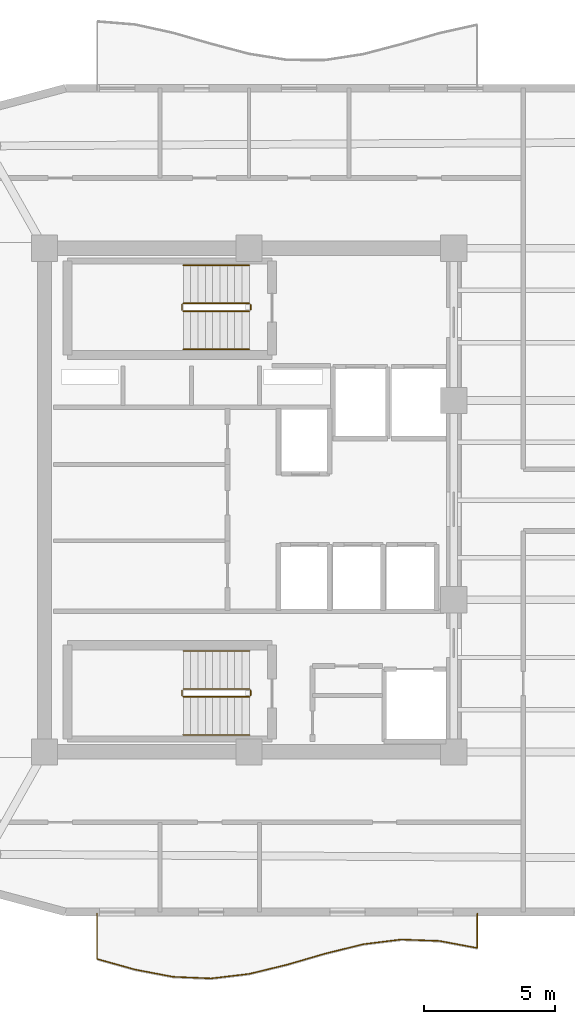
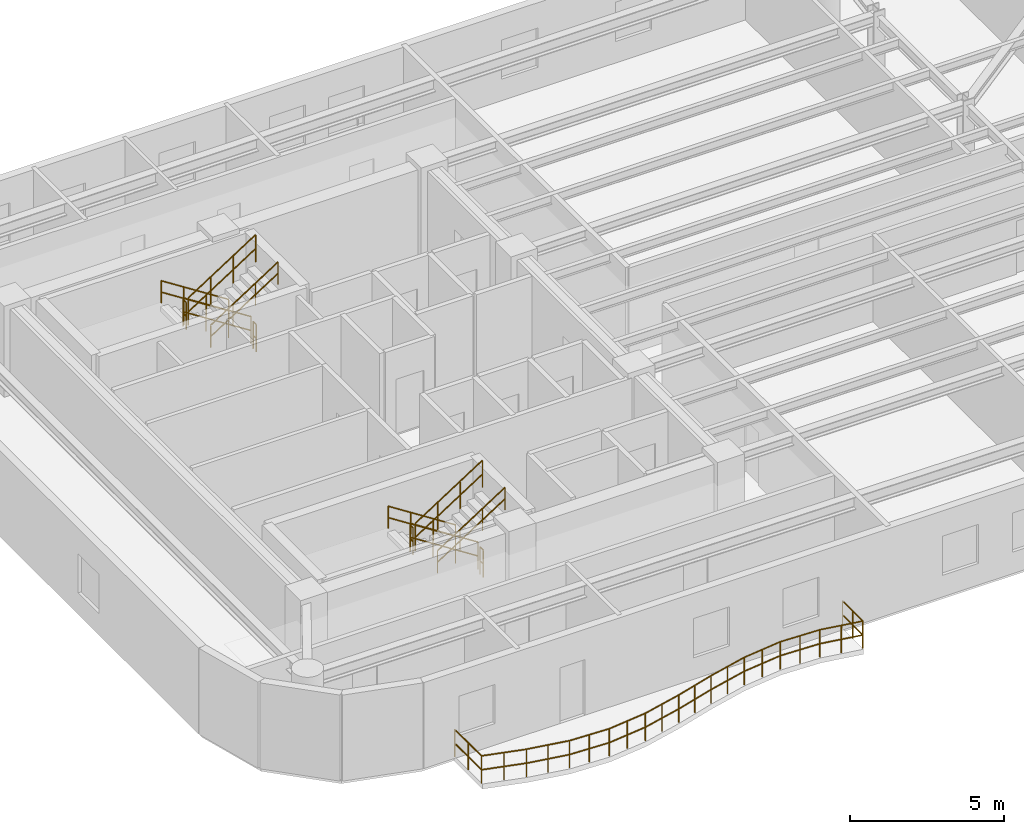
# One storey, part 14 of 15: 13 railings.
"""IFC4 building model written with IfcOpenShell, lengths in metres."""

import ifcopenshell
import ifcopenshell.guid

model = None  # the IFC model being written
_history = None  # IfcOwnerHistory: only IFC2X3 demands one
_inside = {}  # id of a spatial element -> (the spatial element, [elements in it])
_under = {}  # id of a project, library or spatial element -> (it, [spatial elements below it])
_declared = {}  # id of a project -> (the project, [libraries it declares])
_typed = {}  # id of a type object -> (the type object, [elements of that type])
_made_of = {}  # id of a material, layer set ... -> (it, [elements and type objects made of it])


def new_model(schema):
    """Start an empty IFC model of exactly this schema.

    Asked for "IFC4X3", IfcOpenShell would pick the latest addendum, in which some entities
    have other attributes; the version numbers below select the first issue.
    IFC2X3 requires an IfcOwnerHistory on every rooted entity: one is made here for all.
    """
    global model, _history
    if schema == "IFC4X3":
        model = ifcopenshell.file(schema_version=(4, 3, 0, 0))
    else:
        model = ifcopenshell.file(schema=schema)
    _inside.clear()
    _under.clear()
    _declared.clear()
    _typed.clear()
    _made_of.clear()
    _history = None
    if model.schema == "IFC2X3":
        org = make("IfcOrganization", Name="unknown")
        user = make(
            "IfcPersonAndOrganization",
            ThePerson=make("IfcPerson", FamilyName="unknown"),
            TheOrganization=org,
        )
        app = make(
            "IfcApplication",
            ApplicationDeveloper=org,
            Version="unknown",
            ApplicationFullName="unknown",
            ApplicationIdentifier="unknown",
        )
        _history = make(
            "IfcOwnerHistory",
            OwningUser=user,
            OwningApplication=app,
            ChangeAction="ADDED",
            CreationDate=0,
        )
    return model


def make(cls, **values):
    """One entity of the class cls with the attributes given. An attribute that is None is left unset."""
    return model.create_entity(
        cls, **{name: value for name, value in values.items() if value is not None}
    )


def rooted(cls, **values):
    """An entity with a GlobalId (a new one), such as an element, a storey or a relation."""
    return make(cls, GlobalId=ifcopenshell.guid.new(), OwnerHistory=_history, **values)


def si_unit(unit_type, name, prefix=None):
    """IfcSIUnit, for example si_unit("LENGTHUNIT", "METRE", prefix="MILLI")."""
    return make("IfcSIUnit", UnitType=unit_type, Prefix=prefix, Name=name)


def assignment(units):
    """IfcUnitAssignment: the units of a project."""
    return None if units is None else make("IfcUnitAssignment", Units=units)


def point(xyz):
    """IfcCartesianPoint."""
    return None if xyz is None else make("IfcCartesianPoint", Coordinates=xyz)


def direction(xyz):
    """IfcDirection."""
    return None if xyz is None else make("IfcDirection", DirectionRatios=xyz)


def frame(location, z_axis=None, x_axis=None):
    """IfcAxis2Placement3D, a coordinate frame: its origin and axes. An axis left out is left unset."""
    return make(
        "IfcAxis2Placement3D",
        Location=point(location),
        Axis=direction(z_axis),
        RefDirection=direction(x_axis),
    )


def frame_2d(location, x_axis=None):
    """IfcAxis2Placement2D, a coordinate frame in the plane: its origin and x axis."""
    return make(
        "IfcAxis2Placement2D", Location=point(location), RefDirection=direction(x_axis)
    )


def origin():
    """The frame at (0, 0, 0) with its axes left unset."""
    return frame((0.0, 0.0, 0.0))


def origin_2d():
    """The frame at (0, 0) in the plane with its x axis left unset."""
    return frame_2d((0.0, 0.0))


def place(relative_to, where):
    """IfcLocalPlacement: puts the frame where relative to a parent placement (None: the world)."""
    return make(
        "IfcLocalPlacement", PlacementRelTo=relative_to, RelativePlacement=where
    )


def context(
    kind, dimensions, precision=None, world=None, true_north=None, identifier=None
):
    """IfcGeometricRepresentationContext, for example the 3D "Model" context."""
    return make(
        "IfcGeometricRepresentationContext",
        ContextIdentifier=identifier,
        ContextType=kind,
        CoordinateSpaceDimension=dimensions,
        Precision=precision,
        WorldCoordinateSystem=world,
        TrueNorth=true_north,
    )


def subcontext(parent, identifier, kind, view, scale=None):
    """IfcGeometricRepresentationSubContext, for example "Body" below "Model"."""
    return make(
        "IfcGeometricRepresentationSubContext",
        ContextIdentifier=identifier,
        ContextType=kind,
        ParentContext=parent,
        TargetScale=scale,
        TargetView=view,
    )


def project(units=None, contexts=None):
    """IfcProject with its units and contexts."""
    return rooted(
        "IfcProject",
        Name="project",
        RepresentationContexts=contexts,
        UnitsInContext=assignment(units),
    )


def spatial(cls, under=None, at=None, **own):
    """A site, building, storey or space (cls), placed at a placement, below another one or the project."""
    s = rooted(cls, ObjectPlacement=at, **own)
    if under is not None:
        _under.setdefault(under.id(), (under, []))[1].append(s)
    return s


def profile(cls, at=None, kind="AREA", **sizes):
    """A parametric profile (cls). Its sizes go by their IFC names, for example OverallWidth=200.0."""
    return make(cls, ProfileType=kind, Position=at, **sizes)


def circle(**sizes):
    """IfcCircleProfileDef."""
    return profile("IfcCircleProfileDef", **sizes)


def extrude(swept, where, along, depth):
    """IfcExtrudedAreaSolid: the profile swept, set in the frame where, extruded along a direction by depth."""
    return make(
        "IfcExtrudedAreaSolid",
        SweptArea=swept,
        Position=where,
        ExtrudedDirection=direction(along),
        Depth=depth,
    )


def shape(context_of_items, identifier, shape_type, items):
    """IfcShapeRepresentation: the items that make up one representation, for example the "Body"."""
    return make(
        "IfcShapeRepresentation",
        ContextOfItems=context_of_items,
        RepresentationIdentifier=identifier,
        RepresentationType=shape_type,
        Items=items,
    )


def material(Name=None, Category=None):
    """IfcMaterial."""
    return make("IfcMaterial", Name=Name, Category=Category)


def made_of(thing, what):
    """Note that an element or type object is made of a material, layer set ...; save() writes the relation."""
    if what is not None:
        _made_of.setdefault(what.id(), (what, []))[1].append(thing)
    return thing


def type_object(cls, material=None, **own):
    """A type object (cls), such as IfcWallType, which elements share."""
    return made_of(rooted(cls, **own), material)


def element(
    cls,
    number,
    at=None,
    inside=None,
    cuts=None,
    type_object=None,
    material=None,
    context=None,
    identifier="Body",
    shape_type=None,
    held_by="IfcProductDefinitionShape",
    body=None,
    shapes=None,
    **own,
):
    """One element of the class cls, such as IfcWall. Its Tag is "e" and its number.

    at: its placement. inside: the storey or other place that contains it. cuts: it is an
    opening in that element (IfcRelVoidsElement). A single representation is given by context,
    identifier, shape_type and body (its items); several are given by shapes. held_by: the class
    of the entity that holds the representations. save() writes the other relations.
    """
    e = rooted(cls, Tag="e%d" % number, ObjectPlacement=at, **own)
    if body is not None:
        shapes = [shape(context, identifier, shape_type, body)]
    if shapes is not None:
        e.Representation = make(held_by, Representations=shapes)
    if inside is not None:
        _inside.setdefault(inside.id(), (inside, []))[1].append(e)
    if cuts is not None:
        rooted(
            "IfcRelVoidsElement", RelatingBuildingElement=cuts, RelatedOpeningElement=e
        )
    if type_object is not None:
        _typed.setdefault(type_object.id(), (type_object, []))[1].append(e)
    return made_of(e, material)


def aggregate(whole, parts):
    """IfcRelAggregates: a whole, such as a stair, and the parts it consists of."""
    return rooted("IfcRelAggregates", RelatingObject=whole, RelatedObjects=parts)


def save(model, path):
    """Write the relations noted so far, then the file.

    IfcRelAggregates (storeys below a building ...), IfcRelContainedInSpatialStructure (elements
    in a storey), IfcRelDefinesByType, IfcRelAssociatesMaterial and IfcRelDeclares: one each for
    every whole, place, type object, material and project.
    """
    for whole, parts in _under.values():
        aggregate(whole, parts)
    for where, things in _inside.values():
        rooted(
            "IfcRelContainedInSpatialStructure",
            RelatedElements=things,
            RelatingStructure=where,
        )
    for kind, things in _typed.values():
        rooted("IfcRelDefinesByType", RelatedObjects=things, RelatingType=kind)
    for what, things in _made_of.values():
        rooted("IfcRelAssociatesMaterial", RelatedObjects=things, RelatingMaterial=what)
    for by, libraries in _declared.values():
        rooted("IfcRelDeclares", RelatingContext=by, RelatedDefinitions=libraries)
    model.write(path)


model = new_model("IFC4")

# Units and contexts
model_context = context("Model", 3, precision=1e-05, world=origin(), true_north=direction((0.0, 1.0)))
body_context = subcontext(model_context, "Body", "Model", "MODEL_VIEW")
ifc_project = project(units=[si_unit("LENGTHUNIT", "METRE"), si_unit("AREAUNIT", "SQUARE_METRE"), si_unit("VOLUMEUNIT", "CUBIC_METRE"), si_unit("PLANEANGLEUNIT", "RADIAN"), si_unit("MASSUNIT", "GRAM", prefix="KILO")], contexts=[model_context])

# Site, building, storey
site_placement = place(None, origin())
site = spatial("IfcSite", under=ifc_project, at=site_placement, CompositionType="ELEMENT")
building_placement = place(site_placement, origin())
building = spatial("IfcBuilding", under=site, at=building_placement, Name="An Khanh Terracotta Commons", CompositionType="ELEMENT")
storey_placement = place(building_placement, frame((0.0, 0.0, 208.5)))
storey = spatial("IfcBuildingStorey", under=building, at=storey_placement, Name="L54", CompositionType="ELEMENT", Elevation=208.5)

# Railings
ifc_material_1 = material(Name="Brushed Stainless Steel 316", Category="steel")
railing_type_1 = type_object("IfcRailingType", Name="RAIL-BALUSTRADE-1100", PredefinedType="BALUSTRADE", material=ifc_material_1)
railing_1_placement = place(storey_placement, frame((23.60009765625, 8.239990234375, 0.0)))
element("IfcRailing", 1, at=railing_1_placement, inside=storey, type_object=railing_type_1, Name="L54 S Wave Balcony Guard Balustrade", PredefinedType="BALUSTRADE", context=body_context, shape_type="SweptSolid", body=[
    extrude(circle(Radius=0.02392578125, at=origin_2d()), frame((0.0, 0.0, 1.076171875), z_axis=(0.0, -1.0, 0.0), x_axis=(1.0, 0.0, 0.0)), (0.0, 0.0, 1.0), 1.72998046875),
    extrude(circle(Radius=0.02392578125, at=origin_2d()), frame((0.0, 0.0, 0.52587890625), z_axis=(0.0, -1.0, 0.0), x_axis=(1.0, 0.0, 0.0)), (0.0, 0.0, 1.0), 1.72998046875),
    extrude(circle(Radius=0.02392578125, at=origin_2d()), frame((0.0, -1.72998046875, 1.076171875), z_axis=(0.963296824623, -0.268438498864, 0.0), x_axis=(0.268438498864, 0.963296824623, 0.0)), (0.0, 0.0, 1.0), 1.505126953125),
    extrude(circle(Radius=0.02392578125, at=origin_2d()), frame((0.0, -1.72998046875, 0.52587890625), z_axis=(0.963296824623, -0.268438498864, 0.0), x_axis=(0.268438498864, 0.963296824623, 0.0)), (0.0, 0.0, 1.0), 1.505126953125),
    extrude(circle(Radius=0.02392578125, at=origin_2d()), frame((1.449951171875, -2.134033203125, 1.076171875), z_axis=(0.982254505579, -0.187552889262, 0.0), x_axis=(0.187552889262, 0.982254505579, 0.0)), (0.0, 0.0, 1.0), 1.47607421875),
    extrude(circle(Radius=0.02392578125, at=origin_2d()), frame((1.449951171875, -2.134033203125, 0.52587890625), z_axis=(0.982254505579, -0.187552889262, 0.0), x_axis=(0.187552889262, 0.982254505579, 0.0)), (0.0, 0.0, 1.0), 1.47607421875),
    extrude(circle(Radius=0.02392578125, at=origin_2d()), frame((2.89990234375, -2.410888671875, 1.076171875), z_axis=(0.999086695694, -0.042729082456, 0.0), x_axis=(0.042729082456, 0.999086695694, 0.0)), (0.0, 0.0, 1.0), 1.451171875),
    extrude(circle(Radius=0.02392578125, at=origin_2d()), frame((2.89990234375, -2.410888671875, 0.52587890625), z_axis=(0.999086695694, -0.042729082456, 0.0), x_axis=(0.042729082456, 0.999086695694, 0.0)), (0.0, 0.0, 1.0), 1.451171875),
    extrude(circle(Radius=0.02392578125, at=origin_2d()), frame((4.349853515625, -2.472900390625, 1.076171875), z_axis=(0.992969102458, 0.118373821273, 0.0), x_axis=(-0.118373821273, 0.992969102458, 0.0)), (0.0, 0.0, 1.0), 1.460205078125),
    extrude(circle(Radius=0.02392578125, at=origin_2d()), frame((4.349853515625, -2.472900390625, 0.52587890625), z_axis=(0.992969102458, 0.118373821273, 0.0), x_axis=(-0.118373821273, 0.992969102458, 0.0)), (0.0, 0.0, 1.0), 1.460205078125),
    extrude(circle(Radius=0.02392578125, at=origin_2d()), frame((5.7998046875, -2.300048828125, 1.076171875), z_axis=(0.971775138937, 0.23590904888, 0.0), x_axis=(-0.23590904888, 0.971775138937, 0.0)), (0.0, 0.0, 1.0), 1.492431640625),
    extrude(circle(Radius=0.02392578125, at=origin_2d()), frame((5.7998046875, -2.300048828125, 0.52587890625), z_axis=(0.971775138937, 0.23590904888, 0.0), x_axis=(-0.23590904888, 0.971775138937, 0.0)), (0.0, 0.0, 1.0), 1.492431640625),
    extrude(circle(Radius=0.02392578125, at=origin_2d()), frame((7.25, -1.947998046875, 1.076171875), z_axis=(0.960139302464, 0.279521948806, 0.0), x_axis=(-0.279521948806, 0.960139302464, 0.0)), (0.0, 0.0, 1.0), 1.51025390625),
    extrude(circle(Radius=0.02392578125, at=origin_2d()), frame((7.25, -1.947998046875, 0.52587890625), z_axis=(0.960139302464, 0.279521948806, 0.0), x_axis=(-0.279521948806, 0.960139302464, 0.0)), (0.0, 0.0, 1.0), 1.51025390625),
    extrude(circle(Radius=0.02392578125, at=origin_2d()), frame((8.699951171875, -1.52587890625, 1.076171875), z_axis=(0.971011376095, 0.239033276958, 0.0), x_axis=(-0.239033276958, 0.971011376095, 0.0)), (0.0, 0.0, 1.0), 1.4931640625),
    extrude(circle(Radius=0.02392578125, at=origin_2d()), frame((8.699951171875, -1.52587890625, 0.52587890625), z_axis=(0.971011376095, 0.239033276958, 0.0), x_axis=(-0.239033276958, 0.971011376095, 0.0)), (0.0, 0.0, 1.0), 1.4931640625),
    extrude(circle(Radius=0.02392578125, at=origin_2d()), frame((10.14990234375, -1.1689453125, 1.076171875), z_axis=(0.992388023627, 0.123150357537, 0.0), x_axis=(-0.123150357537, 0.992388023627, 0.0)), (0.0, 0.0, 1.0), 1.461181640625),
    extrude(circle(Radius=0.02392578125, at=origin_2d()), frame((10.14990234375, -1.1689453125, 0.52587890625), z_axis=(0.992388023627, 0.123150357537, 0.0), x_axis=(-0.123150357537, 0.992388023627, 0.0)), (0.0, 0.0, 1.0), 1.461181640625),
    extrude(circle(Radius=0.02392578125, at=origin_2d()), frame((11.599853515625, -0.989013671875, 1.076171875), z_axis=(0.999308364687, -0.037185914901, 0.0), x_axis=(0.037185914901, 0.999308364687, 0.0)), (0.0, 0.0, 1.0), 1.450927734375),
    extrude(circle(Radius=0.02392578125, at=origin_2d()), frame((11.599853515625, -0.989013671875, 0.52587890625), z_axis=(0.999308364687, -0.037185914901, 0.0), x_axis=(0.037185914901, 0.999308364687, 0.0)), (0.0, 0.0, 1.0), 1.450927734375),
    extrude(circle(Radius=0.02392578125, at=origin_2d()), frame((13.0498046875, -1.04296875, 1.076171875), z_axis=(0.983103738365, -0.183049281924, 0.0), x_axis=(0.183049281924, 0.983103738365, 0.0)), (0.0, 0.0, 1.0), 1.47509765625),
    extrude(circle(Radius=0.02392578125, at=origin_2d()), frame((13.0498046875, -1.04296875, 0.52587890625), z_axis=(0.983103738365, -0.183049281924, 0.0), x_axis=(0.183049281924, 0.983103738365, 0.0)), (0.0, 0.0, 1.0), 1.47509765625),
    extrude(circle(Radius=0.02392578125, at=origin_2d()), frame((14.5, -1.31298828125, 1.076171875), z_axis=(0.0, 1.0, 0.0), x_axis=(-1.0, 0.0, 0.0)), (0.0, 0.0, 1.0), 1.31298828125),
    extrude(circle(Radius=0.02392578125, at=origin_2d()), frame((14.5, -1.31298828125, 0.52587890625), z_axis=(0.0, 1.0, 0.0), x_axis=(-1.0, 0.0, 0.0)), (0.0, 0.0, 1.0), 1.31298828125),
    extrude(circle(Radius=0.02099609375, at=origin_2d()), origin(), (0.0, 0.0, 1.0), 1.052001953125),
    extrude(circle(Radius=0.02099609375, at=origin_2d()), frame((0.0, -0.864990234375, 0.0)), (0.0, 0.0, 1.0), 1.052001953125),
    extrude(circle(Radius=0.02099609375, at=origin_2d()), frame((0.0, -1.72998046875, 0.0)), (0.0, 0.0, 1.0), 1.052001953125),
    extrude(circle(Radius=0.02099609375, at=origin_2d()), frame((0.72509765625, -1.93212890625, 0.0)), (0.0, 0.0, 1.0), 1.052001953125),
    extrude(circle(Radius=0.02099609375, at=origin_2d()), frame((1.449951171875, -2.134033203125, 0.0)), (0.0, 0.0, 1.0), 1.052001953125),
    extrude(circle(Radius=0.02099609375, at=origin_2d()), frame((2.1748046875, -2.2724609375, 0.0)), (0.0, 0.0, 1.0), 1.052001953125),
    extrude(circle(Radius=0.02099609375, at=origin_2d()), frame((2.89990234375, -2.410888671875, 0.0)), (0.0, 0.0, 1.0), 1.052001953125),
    extrude(circle(Radius=0.02099609375, at=origin_2d()), frame((3.625, -2.44189453125, 0.0)), (0.0, 0.0, 1.0), 1.052001953125),
    extrude(circle(Radius=0.02099609375, at=origin_2d()), frame((4.349853515625, -2.472900390625, 0.0)), (0.0, 0.0, 1.0), 1.052001953125),
    extrude(circle(Radius=0.02099609375, at=origin_2d()), frame((5.07470703125, -2.386474609375, 0.0)), (0.0, 0.0, 1.0), 1.052001953125),
    extrude(circle(Radius=0.02099609375, at=origin_2d()), frame((5.7998046875, -2.300048828125, 0.0)), (0.0, 0.0, 1.0), 1.052001953125),
    extrude(circle(Radius=0.02099609375, at=origin_2d()), frame((6.52490234375, -2.1240234375, 0.0)), (0.0, 0.0, 1.0), 1.052001953125),
    extrude(circle(Radius=0.02099609375, at=origin_2d()), frame((7.25, -1.947998046875, 0.0)), (0.0, 0.0, 1.0), 1.052001953125),
    extrude(circle(Radius=0.02099609375, at=origin_2d()), frame((7.97509765625, -1.73681640625, 0.0)), (0.0, 0.0, 1.0), 1.052001953125),
    extrude(circle(Radius=0.02099609375, at=origin_2d()), frame((8.699951171875, -1.52587890625, 0.0)), (0.0, 0.0, 1.0), 1.052001953125),
    extrude(circle(Radius=0.02099609375, at=origin_2d()), frame((9.4248046875, -1.347412109375, 0.0)), (0.0, 0.0, 1.0), 1.052001953125),
    extrude(circle(Radius=0.02099609375, at=origin_2d()), frame((10.14990234375, -1.1689453125, 0.0)), (0.0, 0.0, 1.0), 1.052001953125),
    extrude(circle(Radius=0.02099609375, at=origin_2d()), frame((10.875, -1.0791015625, 0.0)), (0.0, 0.0, 1.0), 1.052001953125),
    extrude(circle(Radius=0.02099609375, at=origin_2d()), frame((11.599853515625, -0.989013671875, 0.0)), (0.0, 0.0, 1.0), 1.052001953125),
    extrude(circle(Radius=0.02099609375, at=origin_2d()), frame((12.32470703125, -1.01611328125, 0.0)), (0.0, 0.0, 1.0), 1.052001953125),
    extrude(circle(Radius=0.02099609375, at=origin_2d()), frame((13.0498046875, -1.04296875, 0.0)), (0.0, 0.0, 1.0), 1.052001953125),
    extrude(circle(Radius=0.02099609375, at=origin_2d()), frame((13.77490234375, -1.177978515625, 0.0)), (0.0, 0.0, 1.0), 1.052001953125),
    extrude(circle(Radius=0.02099609375, at=origin_2d()), frame((14.5, -1.31298828125, 0.0)), (0.0, 0.0, 1.0), 1.052001953125),
    extrude(circle(Radius=0.02099609375, at=origin_2d()), frame((14.5, -0.656494140625, 0.0)), (0.0, 0.0, 1.0), 1.052001953125),
    extrude(circle(Radius=0.02099609375, at=origin_2d()), frame((14.5, 0.0, 0.0)), (0.0, 0.0, 1.0), 1.052001953125),
])
railing_type_2 = type_object("IfcRailingType", Name="RAIL-HANDRAIL-900", PredefinedType="HANDRAIL", material=ifc_material_1)
railing_2_placement = place(storey_placement, frame((29.409912109375, 32.949951171875, 0.179931640625)))
element("IfcRailing", 2, at=railing_2_placement, inside=storey, type_object=railing_type_2, Name="L54 ST-01 stair handrail 1", PredefinedType="HANDRAIL", context=body_context, shape_type="SweptSolid", body=[
    extrude(circle(Radius=0.02392578125, at=origin_2d()), frame((0.0, 0.0, 0.8759765625), z_axis=(-0.841162588446, 0.0, 0.540782303519), x_axis=(0.0, -1.0, 0.0)), (0.0, 0.0, 1.0), 2.995849609375),
    extrude(circle(Radius=0.02392578125, at=origin_2d()), frame((0.0, 0.0, 0.42578125), z_axis=(-0.841162588446, 0.0, 0.540782303519), x_axis=(0.0, -1.0, 0.0)), (0.0, 0.0, 1.0), 2.995849609375),
    extrude(circle(Radius=0.02099609375, at=origin_2d()), origin(), (0.0, 0.0, 1.0), 0.851806640625),
    extrude(circle(Radius=0.02099609375, at=origin_2d()), frame((-0.840087890625, 0.0, 0.5400390625)), (0.0, 0.0, 1.0), 0.851806640625),
    extrude(circle(Radius=0.02099609375, at=origin_2d()), frame((-1.679931640625, 0.0, 1.080078125)), (0.0, 0.0, 1.0), 0.851806640625),
    extrude(circle(Radius=0.02099609375, at=origin_2d()), frame((-2.52001953125, 0.0, 1.6201171875)), (0.0, 0.0, 1.0), 0.851806640625),
])
railing_3_placement = place(storey_placement, frame((26.889892578125, 29.75, 1.97998046875)))
element("IfcRailing", 3, at=railing_3_placement, inside=storey, type_object=railing_type_2, Name="L54 ST-01 stair handrail 2", PredefinedType="HANDRAIL", context=body_context, shape_type="SweptSolid", body=[
    extrude(circle(Radius=0.02392578125, at=origin_2d()), frame((0.0, 0.0, 0.8759765625), z_axis=(0.841162588446, 0.0, 0.540782303519), x_axis=(0.0, 1.0, 0.0)), (0.0, 0.0, 1.0), 2.995849609375),
    extrude(circle(Radius=0.02392578125, at=origin_2d()), frame((0.0, 0.0, 0.42578125), z_axis=(0.841162588446, 0.0, 0.540782303519), x_axis=(0.0, 1.0, 0.0)), (0.0, 0.0, 1.0), 2.995849609375),
    extrude(circle(Radius=0.02099609375, at=origin_2d()), origin(), (0.0, 0.0, 1.0), 0.851806640625),
    extrude(circle(Radius=0.02099609375, at=origin_2d()), frame((0.840087890625, 0.0, 0.5400390625)), (0.0, 0.0, 1.0), 0.851806640625),
    extrude(circle(Radius=0.02099609375, at=origin_2d()), frame((1.679931640625, 0.0, 1.080078125)), (0.0, 0.0, 1.0), 0.851806640625),
    extrude(circle(Radius=0.02099609375, at=origin_2d()), frame((2.52001953125, 0.0, 1.6201171875)), (0.0, 0.0, 1.0), 0.851806640625),
])
railing_4_placement = place(storey_placement, frame((29.409912109375, 18.25, 0.179931640625)))
element("IfcRailing", 4, at=railing_4_placement, inside=storey, type_object=railing_type_2, Name="L54 ST-02 stair handrail 1", PredefinedType="HANDRAIL", context=body_context, shape_type="SweptSolid", body=[
    extrude(circle(Radius=0.02392578125, at=origin_2d()), frame((0.0, 0.0, 0.8759765625), z_axis=(-0.841162588446, 0.0, 0.540782303519), x_axis=(0.0, -1.0, 0.0)), (0.0, 0.0, 1.0), 2.995849609375),
    extrude(circle(Radius=0.02392578125, at=origin_2d()), frame((0.0, 0.0, 0.42578125), z_axis=(-0.841162588446, 0.0, 0.540782303519), x_axis=(0.0, -1.0, 0.0)), (0.0, 0.0, 1.0), 2.995849609375),
    extrude(circle(Radius=0.02099609375, at=origin_2d()), origin(), (0.0, 0.0, 1.0), 0.851806640625),
    extrude(circle(Radius=0.02099609375, at=origin_2d()), frame((-0.840087890625, 0.0, 0.5400390625)), (0.0, 0.0, 1.0), 0.851806640625),
    extrude(circle(Radius=0.02099609375, at=origin_2d()), frame((-1.679931640625, 0.0, 1.080078125)), (0.0, 0.0, 1.0), 0.851806640625),
    extrude(circle(Radius=0.02099609375, at=origin_2d()), frame((-2.52001953125, 0.0, 1.6201171875)), (0.0, 0.0, 1.0), 0.851806640625),
])
railing_5_placement = place(storey_placement, frame((26.889892578125, 15.050048828125, 1.97998046875)))
element("IfcRailing", 5, at=railing_5_placement, inside=storey, type_object=railing_type_2, Name="L54 ST-02 stair handrail 2", PredefinedType="HANDRAIL", context=body_context, shape_type="SweptSolid", body=[
    extrude(circle(Radius=0.02392578125, at=origin_2d()), frame((0.0, 0.0, 0.8759765625), z_axis=(0.841162588446, 0.0, 0.540782303519), x_axis=(0.0, 1.0, 0.0)), (0.0, 0.0, 1.0), 2.995849609375),
    extrude(circle(Radius=0.02392578125, at=origin_2d()), frame((0.0, 0.0, 0.42578125), z_axis=(0.841162588446, 0.0, 0.540782303519), x_axis=(0.0, 1.0, 0.0)), (0.0, 0.0, 1.0), 2.995849609375),
    extrude(circle(Radius=0.02099609375, at=origin_2d()), origin(), (0.0, 0.0, 1.0), 0.851806640625),
    extrude(circle(Radius=0.02099609375, at=origin_2d()), frame((0.840087890625, 0.0, 0.5400390625)), (0.0, 0.0, 1.0), 0.851806640625),
    extrude(circle(Radius=0.02099609375, at=origin_2d()), frame((1.679931640625, 0.0, 1.080078125)), (0.0, 0.0, 1.0), 0.851806640625),
    extrude(circle(Radius=0.02099609375, at=origin_2d()), frame((2.52001953125, 0.0, 1.6201171875)), (0.0, 0.0, 1.0), 0.851806640625),
])
ifc_material_2 = material(Name="Powder-Coated Steel S355J2", Category="steel")
railing_type_3 = type_object("IfcRailingType", Name="RAIL-STAIR-GUARD-1100", PredefinedType="BALUSTRADE", material=ifc_material_2)
railing_6_placement = place(storey_placement, frame((29.409912109375, 31.5, 0.179931640625)))
element("IfcRailing", 6, at=railing_6_placement, inside=storey, type_object=railing_type_3, Name="L54 ST-01 stair guard 1", PredefinedType="BALUSTRADE", context=body_context, shape_type="SweptSolid", body=[
    extrude(circle(Radius=0.02392578125, at=origin_2d()), frame((0.0, 0.0, 1.076171875), z_axis=(-0.841162588446, 0.0, 0.540782303519), x_axis=(0.0, -1.0, 0.0)), (0.0, 0.0, 1.0), 2.995849609375),
    extrude(circle(Radius=0.02392578125, at=origin_2d()), frame((0.0, 0.0, 0.52587890625), z_axis=(-0.841162588446, 0.0, 0.540782303519), x_axis=(0.0, -1.0, 0.0)), (0.0, 0.0, 1.0), 2.995849609375),
    extrude(circle(Radius=0.02099609375, at=origin_2d()), origin(), (0.0, 0.0, 1.0), 1.052001953125),
    extrude(circle(Radius=0.02099609375, at=origin_2d()), frame((-0.840087890625, 0.0, 0.5400390625)), (0.0, 0.0, 1.0), 1.052001953125),
    extrude(circle(Radius=0.02099609375, at=origin_2d()), frame((-1.679931640625, 0.0, 1.080078125)), (0.0, 0.0, 1.0), 1.052001953125),
    extrude(circle(Radius=0.02099609375, at=origin_2d()), frame((-2.52001953125, 0.0, 1.6201171875)), (0.0, 0.0, 1.0), 1.052001953125),
])
railing_7_placement = place(storey_placement, frame((26.840087890625, 31.449951171875, 1.800048828125)))
element("IfcRailing", 7, at=railing_7_placement, inside=storey, type_object=railing_type_3, Name="L54 ST-01 stair guard 2", PredefinedType="BALUSTRADE", context=body_context, shape_type="SweptSolid", body=[
    extrude(circle(Radius=0.02392578125, at=origin_2d()), frame((0.0, 0.0, 1.076171875), z_axis=(0.0, -1.0, 0.0), x_axis=(1.0, 0.0, 0.0)), (0.0, 0.0, 1.0), 0.199951171875),
    extrude(circle(Radius=0.02392578125, at=origin_2d()), frame((0.0, 0.0, 0.52587890625), z_axis=(0.0, -1.0, 0.0), x_axis=(1.0, 0.0, 0.0)), (0.0, 0.0, 1.0), 0.199951171875),
    extrude(circle(Radius=0.02099609375, at=origin_2d()), origin(), (0.0, 0.0, 1.0), 1.052001953125),
    extrude(circle(Radius=0.02099609375, at=origin_2d()), frame((0.0, -0.199951171875, 0.0)), (0.0, 0.0, 1.0), 1.052001953125),
])
railing_8_placement = place(storey_placement, frame((26.889892578125, 31.199951171875, 1.97998046875)))
element("IfcRailing", 8, at=railing_8_placement, inside=storey, type_object=railing_type_3, Name="L54 ST-01 stair guard 3", PredefinedType="BALUSTRADE", context=body_context, shape_type="SweptSolid", body=[
    extrude(circle(Radius=0.02392578125, at=origin_2d()), frame((0.0, 0.0, 1.076171875), z_axis=(0.841162588446, 0.0, 0.540782303519), x_axis=(0.0, 1.0, 0.0)), (0.0, 0.0, 1.0), 2.995849609375),
    extrude(circle(Radius=0.02392578125, at=origin_2d()), frame((0.0, 0.0, 0.52587890625), z_axis=(0.841162588446, 0.0, 0.540782303519), x_axis=(0.0, 1.0, 0.0)), (0.0, 0.0, 1.0), 2.995849609375),
    extrude(circle(Radius=0.02099609375, at=origin_2d()), origin(), (0.0, 0.0, 1.0), 1.052001953125),
    extrude(circle(Radius=0.02099609375, at=origin_2d()), frame((0.840087890625, 0.0, 0.5400390625)), (0.0, 0.0, 1.0), 1.052001953125),
    extrude(circle(Radius=0.02099609375, at=origin_2d()), frame((1.679931640625, 0.0, 1.080078125)), (0.0, 0.0, 1.0), 1.052001953125),
    extrude(circle(Radius=0.02099609375, at=origin_2d()), frame((2.52001953125, 0.0, 1.6201171875)), (0.0, 0.0, 1.0), 1.052001953125),
])
railing_9_placement = place(storey_placement, frame((29.4599609375, 31.449951171875, 0.0)))
element("IfcRailing", 9, at=railing_9_placement, inside=storey, type_object=railing_type_3, Name="L54 ST-01 stair guard 4", PredefinedType="BALUSTRADE", context=body_context, shape_type="SweptSolid", body=[
    extrude(circle(Radius=0.02392578125, at=origin_2d()), frame((0.0, 0.0, 1.076171875), z_axis=(0.0, -1.0, 0.0), x_axis=(1.0, 0.0, 0.0)), (0.0, 0.0, 1.0), 0.199951171875),
    extrude(circle(Radius=0.02392578125, at=origin_2d()), frame((0.0, 0.0, 0.52587890625), z_axis=(0.0, -1.0, 0.0), x_axis=(1.0, 0.0, 0.0)), (0.0, 0.0, 1.0), 0.199951171875),
    extrude(circle(Radius=0.02099609375, at=origin_2d()), origin(), (0.0, 0.0, 1.0), 1.052001953125),
    extrude(circle(Radius=0.02099609375, at=origin_2d()), frame((0.0, -0.199951171875, 0.0)), (0.0, 0.0, 1.0), 1.052001953125),
])
railing_10_placement = place(storey_placement, frame((29.409912109375, 16.800048828125, 0.179931640625)))
element("IfcRailing", 10, at=railing_10_placement, inside=storey, type_object=railing_type_3, Name="L54 ST-02 stair guard 1", PredefinedType="BALUSTRADE", context=body_context, shape_type="SweptSolid", body=[
    extrude(circle(Radius=0.02392578125, at=origin_2d()), frame((0.0, 0.0, 1.076171875), z_axis=(-0.841162588446, 0.0, 0.540782303519), x_axis=(0.0, -1.0, 0.0)), (0.0, 0.0, 1.0), 2.995849609375),
    extrude(circle(Radius=0.02392578125, at=origin_2d()), frame((0.0, 0.0, 0.52587890625), z_axis=(-0.841162588446, 0.0, 0.540782303519), x_axis=(0.0, -1.0, 0.0)), (0.0, 0.0, 1.0), 2.995849609375),
    extrude(circle(Radius=0.02099609375, at=origin_2d()), origin(), (0.0, 0.0, 1.0), 1.052001953125),
    extrude(circle(Radius=0.02099609375, at=origin_2d()), frame((-0.840087890625, 0.0, 0.5400390625)), (0.0, 0.0, 1.0), 1.052001953125),
    extrude(circle(Radius=0.02099609375, at=origin_2d()), frame((-1.679931640625, 0.0, 1.080078125)), (0.0, 0.0, 1.0), 1.052001953125),
    extrude(circle(Radius=0.02099609375, at=origin_2d()), frame((-2.52001953125, 0.0, 1.6201171875)), (0.0, 0.0, 1.0), 1.052001953125),
])
railing_11_placement = place(storey_placement, frame((26.840087890625, 16.75, 1.800048828125)))
element("IfcRailing", 11, at=railing_11_placement, inside=storey, type_object=railing_type_3, Name="L54 ST-02 stair guard 2", PredefinedType="BALUSTRADE", context=body_context, shape_type="SweptSolid", body=[
    extrude(circle(Radius=0.02392578125, at=origin_2d()), frame((0.0, 0.0, 1.076171875), z_axis=(0.0, -1.0, 0.0), x_axis=(1.0, 0.0, 0.0)), (0.0, 0.0, 1.0), 0.199951171875),
    extrude(circle(Radius=0.02392578125, at=origin_2d()), frame((0.0, 0.0, 0.52587890625), z_axis=(0.0, -1.0, 0.0), x_axis=(1.0, 0.0, 0.0)), (0.0, 0.0, 1.0), 0.199951171875),
    extrude(circle(Radius=0.02099609375, at=origin_2d()), origin(), (0.0, 0.0, 1.0), 1.052001953125),
    extrude(circle(Radius=0.02099609375, at=origin_2d()), frame((0.0, -0.199951171875, 0.0)), (0.0, 0.0, 1.0), 1.052001953125),
])
railing_12_placement = place(storey_placement, frame((26.889892578125, 16.5, 1.97998046875)))
element("IfcRailing", 12, at=railing_12_placement, inside=storey, type_object=railing_type_3, Name="L54 ST-02 stair guard 3", PredefinedType="BALUSTRADE", context=body_context, shape_type="SweptSolid", body=[
    extrude(circle(Radius=0.02392578125, at=origin_2d()), frame((0.0, 0.0, 1.076171875), z_axis=(0.841162588446, 0.0, 0.540782303519), x_axis=(0.0, 1.0, 0.0)), (0.0, 0.0, 1.0), 2.995849609375),
    extrude(circle(Radius=0.02392578125, at=origin_2d()), frame((0.0, 0.0, 0.52587890625), z_axis=(0.841162588446, 0.0, 0.540782303519), x_axis=(0.0, 1.0, 0.0)), (0.0, 0.0, 1.0), 2.995849609375),
    extrude(circle(Radius=0.02099609375, at=origin_2d()), origin(), (0.0, 0.0, 1.0), 1.052001953125),
    extrude(circle(Radius=0.02099609375, at=origin_2d()), frame((0.840087890625, 0.0, 0.5400390625)), (0.0, 0.0, 1.0), 1.052001953125),
    extrude(circle(Radius=0.02099609375, at=origin_2d()), frame((1.679931640625, 0.0, 1.080078125)), (0.0, 0.0, 1.0), 1.052001953125),
    extrude(circle(Radius=0.02099609375, at=origin_2d()), frame((2.52001953125, 0.0, 1.6201171875)), (0.0, 0.0, 1.0), 1.052001953125),
])
railing_13_placement = place(storey_placement, frame((29.4599609375, 16.75, 0.0)))
element("IfcRailing", 13, at=railing_13_placement, inside=storey, type_object=railing_type_3, Name="L54 ST-02 stair guard 4", PredefinedType="BALUSTRADE", context=body_context, shape_type="SweptSolid", body=[
    extrude(circle(Radius=0.02392578125, at=origin_2d()), frame((0.0, 0.0, 1.076171875), z_axis=(0.0, -1.0, 0.0), x_axis=(1.0, 0.0, 0.0)), (0.0, 0.0, 1.0), 0.199951171875),
    extrude(circle(Radius=0.02392578125, at=origin_2d()), frame((0.0, 0.0, 0.52587890625), z_axis=(0.0, -1.0, 0.0), x_axis=(1.0, 0.0, 0.0)), (0.0, 0.0, 1.0), 0.199951171875),
    extrude(circle(Radius=0.02099609375, at=origin_2d()), origin(), (0.0, 0.0, 1.0), 1.052001953125),
    extrude(circle(Radius=0.02099609375, at=origin_2d()), frame((0.0, -0.199951171875, 0.0)), (0.0, 0.0, 1.0), 1.052001953125),
])

save(model, "model.ifc")
